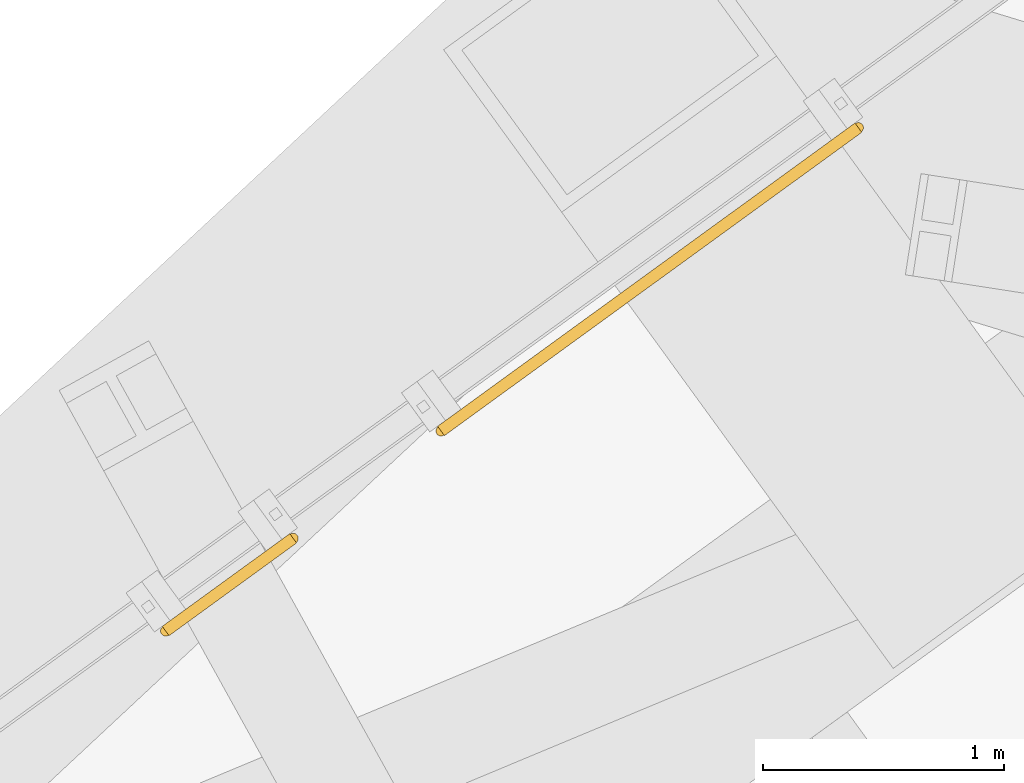
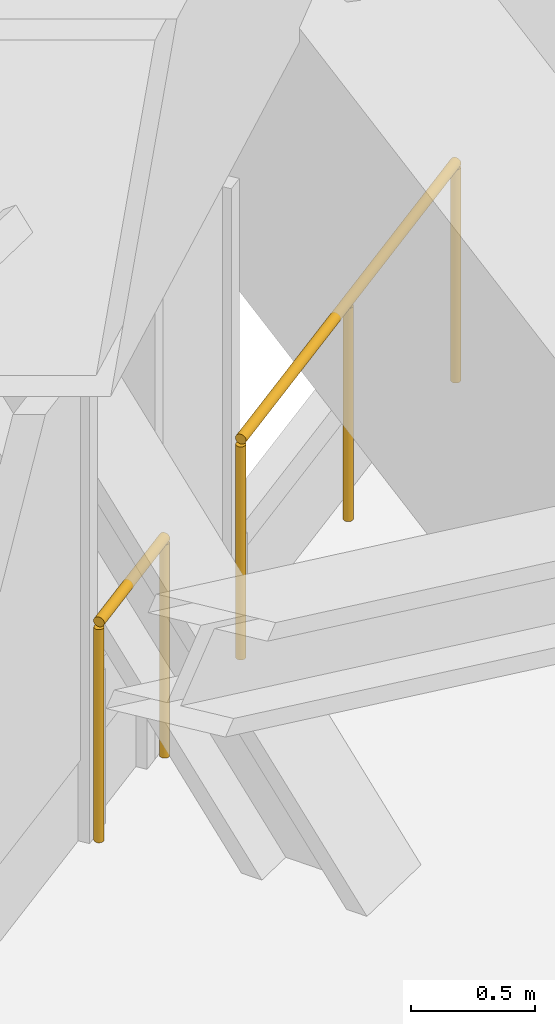
# One storey, part 29 of 30: 2 railings.
"""IFC4 building model written with IfcOpenShell, lengths in metres."""

from ifc_helpers import new_model, si_unit, direction, frame, origin, origin_2d, place, context, subcontext, project, spatial, circle, extrude, material, type_object, element, save


model = new_model("IFC4")

# Units and contexts
model_context = context("Model", 3, precision=1e-05, world=origin(), true_north=direction((0.0, 1.0)))
body_context = subcontext(model_context, "Body", "Model", "MODEL_VIEW")
ifc_project = project(units=[si_unit("LENGTHUNIT", "METRE"), si_unit("AREAUNIT", "SQUARE_METRE"), si_unit("VOLUMEUNIT", "CUBIC_METRE"), si_unit("PLANEANGLEUNIT", "RADIAN"), si_unit("MASSUNIT", "GRAM", prefix="KILO")], contexts=[model_context])

# Site, building, storey
site_placement = place(None, origin())
site = spatial("IfcSite", under=ifc_project, at=site_placement, CompositionType="ELEMENT")
building_placement = place(site_placement, origin())
building = spatial("IfcBuilding", under=site, at=building_placement, Name="Triune Harvest Tower", CompositionType="ELEMENT")
storey_placement = place(building_placement, frame((0.0, 0.0, 94.5)))
storey = spatial("IfcBuildingStorey", under=building, at=storey_placement, Name="L23", CompositionType="ELEMENT", Elevation=94.5)

# Railings
ifc_material = material(Name="Glass", Category="glass")
railing_type = type_object("IfcRailingType", Name="GD-3 facade guard 1100", PredefinedType="GUARDRAIL", material=ifc_material)
railing_1_placement = place(storey_placement, frame((5.505615234375, 31.90283203125, 0.0)))
element("IfcRailing", 1, at=railing_1_placement, inside=storey, type_object=railing_type, Name="Facade guard B2-F3 L23.1.1", PredefinedType="GUARDRAIL", context=body_context, shape_type="SweptSolid", body=[
    extrude(circle(Radius=0.02392578125, at=origin_2d()), frame((0.0, 0.0, 1.076171875), z_axis=(-0.808982998657, -0.587832040538, 0.0), x_axis=(0.587832040538, -0.808982998657, 0.0)), (0.0, 0.0, 1.0), 2.13720703125),
    extrude(circle(Radius=0.02099609375, at=origin_2d()), origin(), (0.0, 0.0, 1.0), 1.052001953125),
    extrude(circle(Radius=0.02099609375, at=origin_2d()), frame((-0.864501953125, -0.628173828125, 0.0)), (0.0, 0.0, 1.0), 1.052001953125),
    extrude(circle(Radius=0.02099609375, at=origin_2d()), frame((-1.72900390625, -1.25634765625, 0.0)), (0.0, 0.0, 1.0), 1.052001953125),
])
railing_2_placement = place(storey_placement, frame((3.1640625, 30.20166015625, 0.0)))
element("IfcRailing", 2, at=railing_2_placement, inside=storey, type_object=railing_type, Name="Facade guard B2-F3 L23.1.2", PredefinedType="GUARDRAIL", context=body_context, shape_type="SweptSolid", body=[
    extrude(circle(Radius=0.02392578125, at=origin_2d()), frame((0.0, 0.0, 1.076171875), z_axis=(-0.808881534589, -0.587971651529, 0.0), x_axis=(0.587971651529, -0.808881534589, 0.0)), (0.0, 0.0, 1.0), 0.653076171875),
    extrude(circle(Radius=0.02099609375, at=origin_2d()), origin(), (0.0, 0.0, 1.0), 1.052001953125),
    extrude(circle(Radius=0.02099609375, at=origin_2d()), frame((-0.5283203125, -0.384033203125, 0.0)), (0.0, 0.0, 1.0), 1.052001953125),
])

save(model, "model.ifc")
